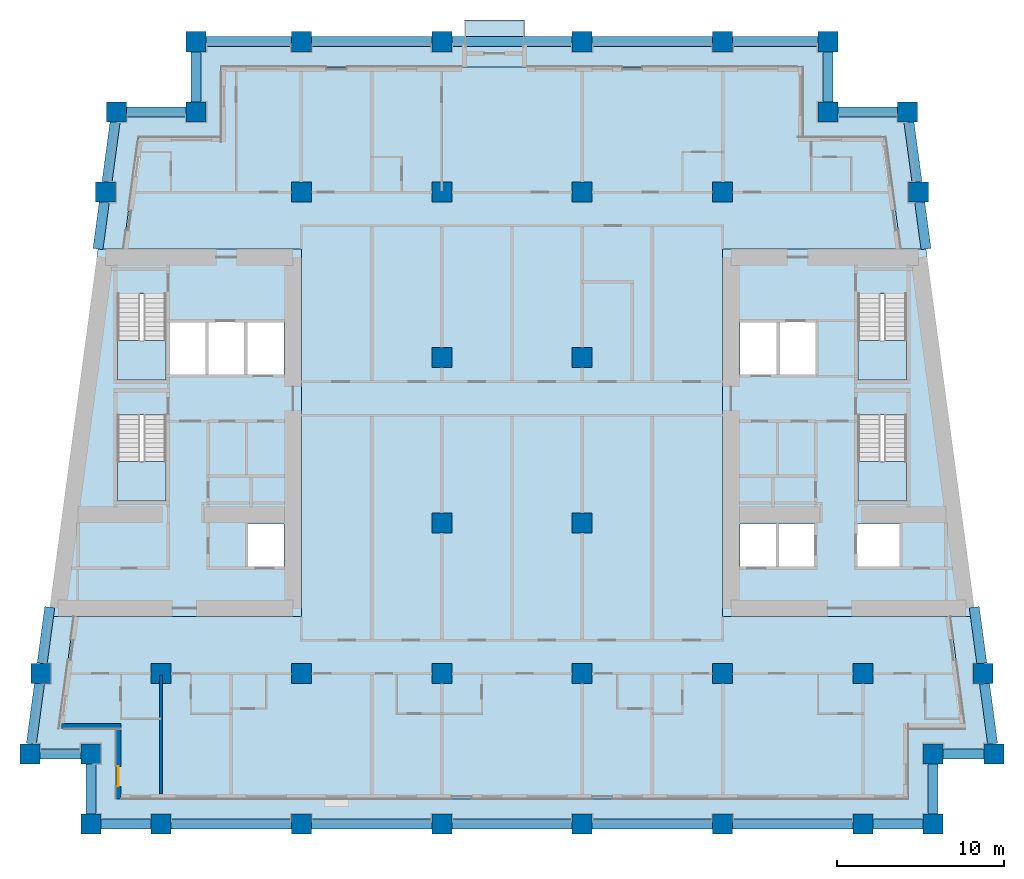
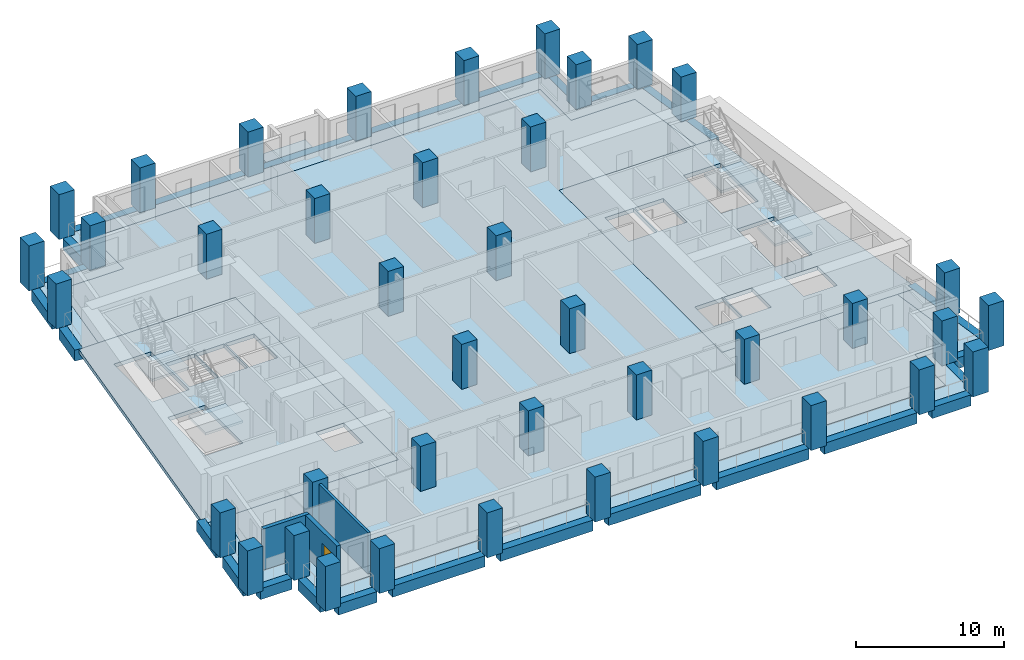
# One storey, part 1 of 13: 40 columns, 28 beams, 10 slabs, 3 walls, 1 door, 1 opening, 4 elements without a shape of their own.
"""IFC4 building model written with IfcOpenShell, lengths in metres."""

import ifcopenshell
import ifcopenshell.guid

model = None  # the IFC model being written
_history = None  # IfcOwnerHistory: only IFC2X3 demands one
_inside = {}  # id of a spatial element -> (the spatial element, [elements in it])
_under = {}  # id of a project, library or spatial element -> (it, [spatial elements below it])
_declared = {}  # id of a project -> (the project, [libraries it declares])
_typed = {}  # id of a type object -> (the type object, [elements of that type])
_made_of = {}  # id of a material, layer set ... -> (it, [elements and type objects made of it])


def new_model(schema):
    """Start an empty IFC model of exactly this schema.

    Asked for "IFC4X3", IfcOpenShell would pick the latest addendum, in which some entities
    have other attributes; the version numbers below select the first issue.
    IFC2X3 requires an IfcOwnerHistory on every rooted entity: one is made here for all.
    """
    global model, _history
    if schema == "IFC4X3":
        model = ifcopenshell.file(schema_version=(4, 3, 0, 0))
    else:
        model = ifcopenshell.file(schema=schema)
    _inside.clear()
    _under.clear()
    _declared.clear()
    _typed.clear()
    _made_of.clear()
    _history = None
    if model.schema == "IFC2X3":
        org = make("IfcOrganization", Name="unknown")
        user = make(
            "IfcPersonAndOrganization",
            ThePerson=make("IfcPerson", FamilyName="unknown"),
            TheOrganization=org,
        )
        app = make(
            "IfcApplication",
            ApplicationDeveloper=org,
            Version="unknown",
            ApplicationFullName="unknown",
            ApplicationIdentifier="unknown",
        )
        _history = make(
            "IfcOwnerHistory",
            OwningUser=user,
            OwningApplication=app,
            ChangeAction="ADDED",
            CreationDate=0,
        )
    return model


def make(cls, **values):
    """One entity of the class cls with the attributes given. An attribute that is None is left unset."""
    return model.create_entity(
        cls, **{name: value for name, value in values.items() if value is not None}
    )


def rooted(cls, **values):
    """An entity with a GlobalId (a new one), such as an element, a storey or a relation."""
    return make(cls, GlobalId=ifcopenshell.guid.new(), OwnerHistory=_history, **values)


def si_unit(unit_type, name, prefix=None):
    """IfcSIUnit, for example si_unit("LENGTHUNIT", "METRE", prefix="MILLI")."""
    return make("IfcSIUnit", UnitType=unit_type, Prefix=prefix, Name=name)


def assignment(units):
    """IfcUnitAssignment: the units of a project."""
    return None if units is None else make("IfcUnitAssignment", Units=units)


def point(xyz):
    """IfcCartesianPoint."""
    return None if xyz is None else make("IfcCartesianPoint", Coordinates=xyz)


def direction(xyz):
    """IfcDirection."""
    return None if xyz is None else make("IfcDirection", DirectionRatios=xyz)


def frame(location, z_axis=None, x_axis=None):
    """IfcAxis2Placement3D, a coordinate frame: its origin and axes. An axis left out is left unset."""
    return make(
        "IfcAxis2Placement3D",
        Location=point(location),
        Axis=direction(z_axis),
        RefDirection=direction(x_axis),
    )


def frame_2d(location, x_axis=None):
    """IfcAxis2Placement2D, a coordinate frame in the plane: its origin and x axis."""
    return make(
        "IfcAxis2Placement2D", Location=point(location), RefDirection=direction(x_axis)
    )


def origin():
    """The frame at (0, 0, 0) with its axes left unset."""
    return frame((0.0, 0.0, 0.0))


def origin_2d():
    """The frame at (0, 0) in the plane with its x axis left unset."""
    return frame_2d((0.0, 0.0))


def place(relative_to, where):
    """IfcLocalPlacement: puts the frame where relative to a parent placement (None: the world)."""
    return make(
        "IfcLocalPlacement", PlacementRelTo=relative_to, RelativePlacement=where
    )


def context(
    kind, dimensions, precision=None, world=None, true_north=None, identifier=None
):
    """IfcGeometricRepresentationContext, for example the 3D "Model" context."""
    return make(
        "IfcGeometricRepresentationContext",
        ContextIdentifier=identifier,
        ContextType=kind,
        CoordinateSpaceDimension=dimensions,
        Precision=precision,
        WorldCoordinateSystem=world,
        TrueNorth=true_north,
    )


def subcontext(parent, identifier, kind, view, scale=None):
    """IfcGeometricRepresentationSubContext, for example "Body" below "Model"."""
    return make(
        "IfcGeometricRepresentationSubContext",
        ContextIdentifier=identifier,
        ContextType=kind,
        ParentContext=parent,
        TargetScale=scale,
        TargetView=view,
    )


def project(units=None, contexts=None):
    """IfcProject with its units and contexts."""
    return rooted(
        "IfcProject",
        Name="project",
        RepresentationContexts=contexts,
        UnitsInContext=assignment(units),
    )


def spatial(cls, under=None, at=None, **own):
    """A site, building, storey or space (cls), placed at a placement, below another one or the project."""
    s = rooted(cls, ObjectPlacement=at, **own)
    if under is not None:
        _under.setdefault(under.id(), (under, []))[1].append(s)
    return s


def polyline(points):
    """IfcPolyline through the points."""
    return make("IfcPolyline", Points=[point(p) for p in points])


def profile(cls, at=None, kind="AREA", **sizes):
    """A parametric profile (cls). Its sizes go by their IFC names, for example OverallWidth=200.0."""
    return make(cls, ProfileType=kind, Position=at, **sizes)


def rectangle(**sizes):
    """IfcRectangleProfileDef."""
    return profile("IfcRectangleProfileDef", **sizes)


def outline(outer, holes=None, kind="AREA"):
    """IfcArbitraryClosedProfileDef: a profile drawn as a closed curve; with holes, ...WithVoids."""
    if holes is None:
        return make("IfcArbitraryClosedProfileDef", ProfileType=kind, OuterCurve=outer)
    return make(
        "IfcArbitraryProfileDefWithVoids",
        ProfileType=kind,
        OuterCurve=outer,
        InnerCurves=holes,
    )


def extrude(swept, where, along, depth):
    """IfcExtrudedAreaSolid: the profile swept, set in the frame where, extruded along a direction by depth."""
    return make(
        "IfcExtrudedAreaSolid",
        SweptArea=swept,
        Position=where,
        ExtrudedDirection=direction(along),
        Depth=depth,
    )


def shape(context_of_items, identifier, shape_type, items):
    """IfcShapeRepresentation: the items that make up one representation, for example the "Body"."""
    return make(
        "IfcShapeRepresentation",
        ContextOfItems=context_of_items,
        RepresentationIdentifier=identifier,
        RepresentationType=shape_type,
        Items=items,
    )


def material(Name=None, Category=None):
    """IfcMaterial."""
    return make("IfcMaterial", Name=Name, Category=Category)


def layer(
    of_material, thickness, ventilated=None, Name=None, Category=None, Priority=None
):
    """IfcMaterialLayer: one layer of a wall or slab, of a material (None: an air gap)."""
    return make(
        "IfcMaterialLayer",
        Material=of_material,
        LayerThickness=thickness,
        IsVentilated=ventilated,
        Name=Name,
        Category=Category,
        Priority=Priority,
    )


def layer_set(layers, Name=None):
    """IfcMaterialLayerSet."""
    return make("IfcMaterialLayerSet", MaterialLayers=layers, LayerSetName=Name)


def material_profile(
    of_material, cross_section, Name=None, Category=None, Priority=None
):
    """IfcMaterialProfile: a cross section and its material."""
    return make(
        "IfcMaterialProfile",
        Name=Name,
        Material=of_material,
        Profile=cross_section,
        Priority=Priority,
        Category=Category,
    )


def profile_set(profiles, Name=None, composite=None):
    """IfcMaterialProfileSet."""
    return make(
        "IfcMaterialProfileSet",
        Name=Name,
        MaterialProfiles=profiles,
        CompositeProfile=composite,
    )


def made_of(thing, what):
    """Note that an element or type object is made of a material, layer set ...; save() writes the relation."""
    if what is not None:
        _made_of.setdefault(what.id(), (what, []))[1].append(thing)
    return thing


def type_object(cls, material=None, **own):
    """A type object (cls), such as IfcWallType, which elements share."""
    return made_of(rooted(cls, **own), material)


def element(
    cls,
    number,
    at=None,
    inside=None,
    cuts=None,
    type_object=None,
    material=None,
    context=None,
    identifier="Body",
    shape_type=None,
    held_by="IfcProductDefinitionShape",
    body=None,
    shapes=None,
    **own,
):
    """One element of the class cls, such as IfcWall. Its Tag is "e" and its number.

    at: its placement. inside: the storey or other place that contains it. cuts: it is an
    opening in that element (IfcRelVoidsElement). A single representation is given by context,
    identifier, shape_type and body (its items); several are given by shapes. held_by: the class
    of the entity that holds the representations. save() writes the other relations.
    """
    e = rooted(cls, Tag="e%d" % number, ObjectPlacement=at, **own)
    if body is not None:
        shapes = [shape(context, identifier, shape_type, body)]
    if shapes is not None:
        e.Representation = make(held_by, Representations=shapes)
    if inside is not None:
        _inside.setdefault(inside.id(), (inside, []))[1].append(e)
    if cuts is not None:
        rooted(
            "IfcRelVoidsElement", RelatingBuildingElement=cuts, RelatedOpeningElement=e
        )
    if type_object is not None:
        _typed.setdefault(type_object.id(), (type_object, []))[1].append(e)
    return made_of(e, material)


def fill(opening, filler):
    """IfcRelFillsElement: the door or window that sits in an opening."""
    return rooted(
        "IfcRelFillsElement",
        RelatingOpeningElement=opening,
        RelatedBuildingElement=filler,
    )


def aggregate(whole, parts):
    """IfcRelAggregates: a whole, such as a stair, and the parts it consists of."""
    return rooted("IfcRelAggregates", RelatingObject=whole, RelatedObjects=parts)


def save(model, path):
    """Write the relations noted so far, then the file.

    IfcRelAggregates (storeys below a building ...), IfcRelContainedInSpatialStructure (elements
    in a storey), IfcRelDefinesByType, IfcRelAssociatesMaterial and IfcRelDeclares: one each for
    every whole, place, type object, material and project.
    """
    for whole, parts in _under.values():
        aggregate(whole, parts)
    for where, things in _inside.values():
        rooted(
            "IfcRelContainedInSpatialStructure",
            RelatedElements=things,
            RelatingStructure=where,
        )
    for kind, things in _typed.values():
        rooted("IfcRelDefinesByType", RelatedObjects=things, RelatingType=kind)
    for what, things in _made_of.values():
        rooted("IfcRelAssociatesMaterial", RelatedObjects=things, RelatingMaterial=what)
    for by, libraries in _declared.values():
        rooted("IfcRelDeclares", RelatingContext=by, RelatedDefinitions=libraries)
    model.write(path)


model = new_model("IFC4")

# Units and contexts
model_context = context("Model", 3, precision=1e-05, world=origin(), true_north=direction((0.0, 1.0)))
body_context = subcontext(model_context, "Body", "Model", "MODEL_VIEW")
ifc_project = project(units=[si_unit("LENGTHUNIT", "METRE"), si_unit("AREAUNIT", "SQUARE_METRE"), si_unit("VOLUMEUNIT", "CUBIC_METRE"), si_unit("PLANEANGLEUNIT", "RADIAN"), si_unit("MASSUNIT", "GRAM", prefix="KILO")], contexts=[model_context])

# Site, building, storey
site_placement = place(None, origin())
site = spatial("IfcSite", under=ifc_project, at=site_placement, CompositionType="ELEMENT")
building_placement = place(site_placement, origin())
building = spatial("IfcBuilding", under=site, at=building_placement, Name="Candeia Pilgrim Tower and Theatre", CompositionType="ELEMENT")
storey_placement = place(building_placement, frame((0.0, 0.0, 105.800048828125)))
storey = spatial("IfcBuildingStorey", under=building, at=storey_placement, Name="L24", CompositionType="ELEMENT", Elevation=105.800048828125)

# Columns
ifc_material_1 = material(Name="Concrete C70/85", Category="concrete")
ifc_material_profile_1 = material_profile(ifc_material_1, rectangle(XDim=1.199951171875, YDim=1.199951171875, at=origin_2d()))
ifc_profile_set_1 = profile_set([ifc_material_profile_1], Name="Concrete C70/85")
column_type = type_object("IfcColumnType", Name="RC 1200x1200 C70/85", PredefinedType="COLUMN", material=ifc_profile_set_1)
for number, where, z_axis, x_axis, name in (
    (1, (92.39990234375, 98.0, 0.0), (0.0, 0.0, 1.0), (1.0, 0.0, 0.0), "Column A1"),
    (2, (100.800048828125, 98.0, 0.0), (0.0, 0.0, 1.0), (1.0, 0.0, 0.0), "Column A2"),
    (3, (109.199951171875, 98.0, 0.0), (0.0, 0.0, 1.0), (1.0, 0.0, 0.0), "Column A3"),
    (4, (117.60009765625, 98.0, 0.0), (0.0, 0.0, 1.0), (1.0, 0.0, 0.0), "Column A4"),
    (5, (126.0, 98.0, 0.0), (0.0, 0.0, 1.0), (1.0, 0.0, 0.0), "Column A5"),
    (6, (134.39990234375, 98.0, 0.0), (0.0, 0.0, 1.0), (1.0, 0.0, 0.0), "Column A6"),
    (7, (88.199951171875, 98.0, 0.0), (0.0, 0.0, 1.0), (1.0, 0.0, 0.0), "Column AW"),
    (8, (138.60009765625, 98.0, 0.0), (0.0, 0.0, 1.0), (1.0, 0.0, 0.0), "Column AE"),
    (9, (88.199951171875, 102.199951171875, 0.0), (0.0, 0.0, 1.0), (1.0, 0.0, 0.0), "Column NSW"),
    (10, (138.60009765625, 102.199951171875, 0.0), (0.0, 0.0, 1.0), (1.0, 0.0, 0.0), "Column NSE"),
    (11, (94.5, 140.60009765625, 0.0), (0.0, 0.0, 1.0), (1.0, 0.0, 0.0), "Column NNW"),
    (12, (132.300048828125, 140.60009765625, 0.0), (0.0, 0.0, 1.0), (1.0, 0.0, 0.0), "Column NNE"),
    (13, (84.5654296875, 102.199951171875, 0.0), (0.0, 0.0, 1.0), (1.0, 0.0, 0.0), "Column LSW"),
    (14, (142.234619140625, 102.199951171875, 0.0), (0.0, 0.0, 1.0), (1.0, 0.0, 0.0), "Column LSE"),
    (15, (89.734619140625, 140.60009765625, 0.0), (0.0, 0.0, 1.0), (1.0, 0.0, 0.0), "Column LNW"),
    (16, (137.0654296875, 140.60009765625, 0.0), (0.0, 0.0, 1.0), (1.0, 0.0, 0.0), "Column LNE"),
    (17, (92.39990234375, 107.0, 0.0), (0.0, 0.0, 1.0), (1.0, 0.0, 0.0), "Column B1"),
    (18, (100.800048828125, 107.0, 0.0), (0.0, 0.0, 1.0), (1.0, 0.0, 0.0), "Column B2"),
    (19, (109.199951171875, 107.0, 0.0), (0.0, 0.0, 1.0), (1.0, 0.0, 0.0), "Column B3"),
    (20, (117.60009765625, 107.0, 0.0), (0.0, 0.0, 1.0), (1.0, 0.0, 0.0), "Column B4"),
    (21, (126.0, 107.0, 0.0), (0.0, 0.0, 1.0), (1.0, 0.0, 0.0), "Column B5"),
    (22, (134.39990234375, 107.0, 0.0), (0.0, 0.0, 1.0), (1.0, 0.0, 0.0), "Column B6"),
    (23, (85.21142578125, 107.0, 0.0), (0.0, 0.0, 1.0), (1.0, 0.0, 0.0), "Column BW"),
    (24, (141.58837890625, 107.0, 0.0), (0.0, 0.0, 1.0), (1.0, 0.0, 0.0), "Column BE"),
    (25, (109.199951171875, 116.0, 0.0), (0.0, 0.0, 1.0), (1.0, 0.0, 0.0), "Column C3"),
    (26, (117.60009765625, 116.0, 0.0), (0.0, 0.0, 1.0), (1.0, 0.0, 0.0), "Column C4"),
    (27, (109.199951171875, 125.89990234375, 0.0), (0.0, 0.0, 1.0), (1.0, 0.0, 0.0), "Column D3"),
    (28, (117.60009765625, 125.89990234375, 0.0), (0.0, 0.0, 1.0), (1.0, 0.0, 0.0), "Column D4"),
    (29, (100.800048828125, 135.800048828125, 0.0), (0.0, 0.0, 1.0), (1.0, 0.0, 0.0), "Column E2"),
    (30, (109.199951171875, 135.800048828125, 0.0), (0.0, 0.0, 1.0), (1.0, 0.0, 0.0), "Column E3"),
    (31, (117.60009765625, 135.800048828125, 0.0), (0.0, 0.0, 1.0), (1.0, 0.0, 0.0), "Column E4"),
    (32, (126.0, 135.800048828125, 0.0), (0.0, 0.0, 1.0), (1.0, 0.0, 0.0), "Column E5"),
    (33, (89.08837890625, 135.800048828125, 0.0), (0.0, 0.0, 1.0), (1.0, 0.0, 0.0), "Column EW"),
    (34, (137.71142578125, 135.800048828125, 0.0), (0.0, 0.0, 1.0), (1.0, 0.0, 0.0), "Column EE"),
    (35, (100.800048828125, 144.800048828125, 0.0), (0.0, 0.0, 1.0), (1.0, 0.0, 0.0), "Column F2"),
    (36, (109.199951171875, 144.800048828125, 0.0), (0.0, 0.0, 1.0), (1.0, 0.0, 0.0), "Column F3"),
    (37, (117.60009765625, 144.800048828125, 0.0), (0.0, 0.0, 1.0), (1.0, 0.0, 0.0), "Column F4"),
    (38, (126.0, 144.800048828125, 0.0), (0.0, 0.0, 1.0), (1.0, 0.0, 0.0), "Column F5"),
    (39, (94.5, 144.800048828125, 0.0), (0.0, 0.0, 1.0), (1.0, 0.0, 0.0), "Column FW"),
    (40, (132.300048828125, 144.800048828125, 0.0), (0.0, 0.0, 1.0), (1.0, 0.0, 0.0), "Column FE"),
):
    element("IfcColumn", number, at=place(storey_placement, frame(where, z_axis=z_axis, x_axis=x_axis)), inside=storey, type_object=column_type, Name=name, PredefinedType="COLUMN", context=body_context, shape_type="SweptSolid", body=[
        extrude(rectangle(XDim=1.199951171875, YDim=1.199951171875, at=origin_2d()), origin(), (0.0, 0.0, 1.0), 3.699951171875),
    ])

# Beams
ifc_material_profile_2 = material_profile(ifc_material_1, rectangle(XDim=0.60009765625, YDim=0.89990234375, at=origin_2d()))
ifc_profile_set_2 = profile_set([ifc_material_profile_2], Name="Concrete C70/85")
beam_type = type_object("IfcBeamType", Name="RC 600x900 C70/85", PredefinedType="BEAM", material=ifc_profile_set_2)
beam_1_placement = place(storey_placement, frame((88.800048828125, 98.0, -0.449951171875), z_axis=(1.0, 0.0, 0.0), x_axis=(0.0, 1.0, 0.0)))
element("IfcBeam", 41, at=beam_1_placement, inside=storey, type_object=beam_type, Name="Spandrel beam L24-01", PredefinedType="BEAM", context=body_context, shape_type="SweptSolid", body=[
    extrude(rectangle(XDim=0.60009765625, YDim=0.89990234375, at=origin_2d()), origin(), (0.0, 0.0, 1.0), 3.0),
])
beam_2_placement = place(storey_placement, frame((93.0, 98.0, -0.449951171875), z_axis=(1.0, 0.0, 0.0), x_axis=(0.0, 1.0, 0.0)))
element("IfcBeam", 42, at=beam_2_placement, inside=storey, type_object=beam_type, Name="Spandrel beam L24-02", PredefinedType="BEAM", context=body_context, shape_type="SweptSolid", body=[
    extrude(rectangle(XDim=0.60009765625, YDim=0.89990234375, at=origin_2d()), origin(), (0.0, 0.0, 1.0), 7.199951171875),
])
beam_3_placement = place(storey_placement, frame((101.39990234375, 98.0, -0.449951171875), z_axis=(1.0, 0.0, 0.0), x_axis=(0.0, 1.0, 0.0)))
element("IfcBeam", 43, at=beam_3_placement, inside=storey, type_object=beam_type, Name="Spandrel beam L24-03", PredefinedType="BEAM", context=body_context, shape_type="SweptSolid", body=[
    extrude(rectangle(XDim=0.60009765625, YDim=0.89990234375, at=origin_2d()), origin(), (0.0, 0.0, 1.0), 7.2001953125),
])
for number, where, z_axis, x_axis, name in (
    (44, (109.800048828125, 98.0, -0.449951171875), (1.0, 0.0, 0.0), (0.0, 1.0, 0.0), "Spandrel beam L24-04"),
    (45, (118.199951171875, 98.0, -0.449951171875), (1.0, 0.0, 0.0), (0.0, 1.0, 0.0), "Spandrel beam L24-05"),
    (46, (126.60009765625, 98.0, -0.449951171875), (1.0, 0.0, 0.0), (0.0, 1.0, 0.0), "Spandrel beam L24-06"),
):
    element("IfcBeam", number, at=place(storey_placement, frame(where, z_axis=z_axis, x_axis=x_axis)), inside=storey, type_object=beam_type, Name=name, PredefinedType="BEAM", context=body_context, shape_type="SweptSolid", body=[
        extrude(rectangle(XDim=0.60009765625, YDim=0.89990234375, at=origin_2d()), origin(), (0.0, 0.0, 1.0), 7.199951171875),
    ])
for number, where, z_axis, x_axis, name in (
    (47, (135.0, 98.0, -0.449951171875), (1.0, 0.0, 0.0), (0.0, 1.0, 0.0), "Spandrel beam L24-07"),
    (48, (138.60009765625, 98.60009765625, -0.449951171875), (0.0, 1.0, 0.0), (-1.0, 0.0, 0.0), "Spandrel beam L24-08"),
):
    element("IfcBeam", number, at=place(storey_placement, frame(where, z_axis=z_axis, x_axis=x_axis)), inside=storey, type_object=beam_type, Name=name, PredefinedType="BEAM", context=body_context, shape_type="SweptSolid", body=[
        extrude(rectangle(XDim=0.60009765625, YDim=0.89990234375, at=origin_2d()), origin(), (0.0, 0.0, 1.0), 3.0),
    ])
beam_4_placement = place(storey_placement, frame((139.199951171875, 102.199951171875, -0.449951171875), z_axis=(1.0, 0.0, 0.0), x_axis=(0.0, 1.0, 0.0)))
element("IfcBeam", 49, at=beam_4_placement, inside=storey, type_object=beam_type, Name="Spandrel beam L24-09", PredefinedType="BEAM", context=body_context, shape_type="SweptSolid", body=[
    extrude(rectangle(XDim=0.60009765625, YDim=0.89990234375, at=origin_2d()), origin(), (0.0, 0.0, 1.0), 2.4345703125),
])
beam_5_placement = place(storey_placement, frame((142.15380859375, 102.800048828125, -0.449951171875), z_axis=(-0.133418359924, 0.991059807093, 0.0), x_axis=(-0.991059807093, -0.133418359924, 0.0)))
element("IfcBeam", 50, at=beam_5_placement, inside=storey, type_object=beam_type, Name="Spandrel beam L24-10", PredefinedType="BEAM", context=body_context, shape_type="SweptSolid", body=[
    extrude(rectangle(XDim=0.60009765625, YDim=0.89990234375, at=origin_2d()), origin(), (0.0, 0.0, 1.0), 3.63232421875),
])
beam_6_placement = place(storey_placement, frame((141.5078125, 107.60009765625, -0.449951171875), z_axis=(-0.133458165992, 0.99105444751, 0.0), x_axis=(-0.99105444751, -0.133458165992, 0.0)))
element("IfcBeam", 51, at=beam_6_placement, inside=storey, type_object=beam_type, Name="Spandrel beam L24-11", PredefinedType="BEAM", context=body_context, shape_type="SweptSolid", body=[
    extrude(rectangle(XDim=0.60009765625, YDim=0.89990234375, at=origin_2d()), origin(), (0.0, 0.0, 1.0), 3.39697265625),
])
beam_7_placement = place(storey_placement, frame((138.169189453125, 132.39990234375, -0.449951171875), z_axis=(-0.133420173099, 0.991059562998, 0.0), x_axis=(-0.991059562998, -0.133420173099, 0.0)))
element("IfcBeam", 52, at=beam_7_placement, inside=storey, type_object=beam_type, Name="Spandrel beam L24-12", PredefinedType="BEAM", context=body_context, shape_type="SweptSolid", body=[
    extrude(rectangle(XDim=0.60009765625, YDim=0.89990234375, at=origin_2d()), origin(), (0.0, 0.0, 1.0), 2.8251953125),
])
beam_8_placement = place(storey_placement, frame((137.630859375, 136.39990234375, -0.449951171875), z_axis=(-0.133409473196, 0.991061003401, 0.0), x_axis=(-0.991061003401, -0.133409473196, 0.0)))
element("IfcBeam", 53, at=beam_8_placement, inside=storey, type_object=beam_type, Name="Spandrel beam L24-13", PredefinedType="BEAM", context=body_context, shape_type="SweptSolid", body=[
    extrude(rectangle(XDim=0.60009765625, YDim=0.89990234375, at=origin_2d()), origin(), (0.0, 0.0, 1.0), 3.632568359375),
])
beam_9_placement = place(storey_placement, frame((136.46533203125, 140.60009765625, -0.449951171875), z_axis=(-1.0, 0.0, 0.0), x_axis=(0.0, -1.0, 0.0)))
element("IfcBeam", 54, at=beam_9_placement, inside=storey, type_object=beam_type, Name="Spandrel beam L24-14", PredefinedType="BEAM", context=body_context, shape_type="SweptSolid", body=[
    extrude(rectangle(XDim=0.60009765625, YDim=0.89990234375, at=origin_2d()), origin(), (0.0, 0.0, 1.0), 3.5654296875),
])
beam_10_placement = place(storey_placement, frame((132.300048828125, 141.199951171875, -0.449951171875), z_axis=(0.0, 1.0, 0.0), x_axis=(-1.0, 0.0, 0.0)))
element("IfcBeam", 55, at=beam_10_placement, inside=storey, type_object=beam_type, Name="Spandrel beam L24-15", PredefinedType="BEAM", context=body_context, shape_type="SweptSolid", body=[
    extrude(rectangle(XDim=0.60009765625, YDim=0.89990234375, at=origin_2d()), origin(), (0.0, 0.0, 1.0), 3.0),
])
beam_11_placement = place(storey_placement, frame((131.699951171875, 144.800048828125, -0.449951171875), z_axis=(-1.0, 0.0, 0.0), x_axis=(0.0, -1.0, 0.0)))
element("IfcBeam", 56, at=beam_11_placement, inside=storey, type_object=beam_type, Name="Spandrel beam L24-16", PredefinedType="BEAM", context=body_context, shape_type="SweptSolid", body=[
    extrude(rectangle(XDim=0.60009765625, YDim=0.89990234375, at=origin_2d()), origin(), (0.0, 0.0, 1.0), 5.099853515625),
])
for number, where, z_axis, x_axis, name in (
    (57, (125.39990234375, 144.800048828125, -0.449951171875), (-1.0, 0.0, 0.0), (0.0, -1.0, 0.0), "Spandrel beam L24-17"),
    (58, (117.0, 144.800048828125, -0.449951171875), (-1.0, 0.0, 0.0), (0.0, -1.0, 0.0), "Spandrel beam L24-18"),
):
    element("IfcBeam", number, at=place(storey_placement, frame(where, z_axis=z_axis, x_axis=x_axis)), inside=storey, type_object=beam_type, Name=name, PredefinedType="BEAM", context=body_context, shape_type="SweptSolid", body=[
        extrude(rectangle(XDim=0.60009765625, YDim=0.89990234375, at=origin_2d()), origin(), (0.0, 0.0, 1.0), 7.199951171875),
    ])
beam_12_placement = place(storey_placement, frame((108.60009765625, 144.800048828125, -0.449951171875), z_axis=(-1.0, 0.0, 0.0), x_axis=(0.0, -1.0, 0.0)))
element("IfcBeam", 59, at=beam_12_placement, inside=storey, type_object=beam_type, Name="Spandrel beam L24-19", PredefinedType="BEAM", context=body_context, shape_type="SweptSolid", body=[
    extrude(rectangle(XDim=0.60009765625, YDim=0.89990234375, at=origin_2d()), origin(), (0.0, 0.0, 1.0), 7.2001953125),
])
beam_13_placement = place(storey_placement, frame((100.199951171875, 144.800048828125, -0.449951171875), z_axis=(-1.0, 0.0, 0.0), x_axis=(0.0, -1.0, 0.0)))
element("IfcBeam", 60, at=beam_13_placement, inside=storey, type_object=beam_type, Name="Spandrel beam L24-20", PredefinedType="BEAM", context=body_context, shape_type="SweptSolid", body=[
    extrude(rectangle(XDim=0.60009765625, YDim=0.89990234375, at=origin_2d()), origin(), (0.0, 0.0, 1.0), 5.099853515625),
])
beam_14_placement = place(storey_placement, frame((94.5, 144.199951171875, -0.449951171875), z_axis=(0.0, -1.0, 0.0), x_axis=(1.0, 0.0, 0.0)))
element("IfcBeam", 61, at=beam_14_placement, inside=storey, type_object=beam_type, Name="Spandrel beam L24-21", PredefinedType="BEAM", context=body_context, shape_type="SweptSolid", body=[
    extrude(rectangle(XDim=0.60009765625, YDim=0.89990234375, at=origin_2d()), origin(), (0.0, 0.0, 1.0), 3.0),
])
beam_15_placement = place(storey_placement, frame((93.89990234375, 140.60009765625, -0.449951171875), z_axis=(-1.0, 0.0, 0.0), x_axis=(0.0, -1.0, 0.0)))
element("IfcBeam", 62, at=beam_15_placement, inside=storey, type_object=beam_type, Name="Spandrel beam L24-22", PredefinedType="BEAM", context=body_context, shape_type="SweptSolid", body=[
    extrude(rectangle(XDim=0.60009765625, YDim=0.89990234375, at=origin_2d()), origin(), (0.0, 0.0, 1.0), 3.565185546875),
])
beam_16_placement = place(storey_placement, frame((89.65380859375, 140.0, -0.449951171875), z_axis=(-0.133409473196, -0.991061003401, 0.0), x_axis=(0.991061003401, -0.133409473196, 0.0)))
element("IfcBeam", 63, at=beam_16_placement, inside=storey, type_object=beam_type, Name="Spandrel beam L24-23", PredefinedType="BEAM", context=body_context, shape_type="SweptSolid", body=[
    extrude(rectangle(XDim=0.60009765625, YDim=0.89990234375, at=origin_2d()), origin(), (0.0, 0.0, 1.0), 3.632568359375),
])
beam_17_placement = place(storey_placement, frame((89.0078125, 135.199951171875, -0.449951171875), z_axis=(-0.133420173099, -0.991059562998, 0.0), x_axis=(0.991059562998, -0.133420173099, 0.0)))
element("IfcBeam", 64, at=beam_17_placement, inside=storey, type_object=beam_type, Name="Spandrel beam L24-24", PredefinedType="BEAM", context=body_context, shape_type="SweptSolid", body=[
    extrude(rectangle(XDim=0.60009765625, YDim=0.89990234375, at=origin_2d()), origin(), (0.0, 0.0, 1.0), 2.8251953125),
])
beam_18_placement = place(storey_placement, frame((85.74560546875, 110.966796875, -0.449951171875), z_axis=(-0.133458165992, -0.99105444751, 0.0), x_axis=(0.99105444751, -0.133458165992, 0.0)))
element("IfcBeam", 65, at=beam_18_placement, inside=storey, type_object=beam_type, Name="Spandrel beam L24-25", PredefinedType="BEAM", context=body_context, shape_type="SweptSolid", body=[
    extrude(rectangle(XDim=0.60009765625, YDim=0.89990234375, at=origin_2d()), origin(), (0.0, 0.0, 1.0), 3.39697265625),
])
beam_19_placement = place(storey_placement, frame((85.130859375, 106.39990234375, -0.449951171875), z_axis=(-0.133418359924, -0.991059807093, 0.0), x_axis=(0.991059807093, -0.133418359924, 0.0)))
element("IfcBeam", 66, at=beam_19_placement, inside=storey, type_object=beam_type, Name="Spandrel beam L24-26", PredefinedType="BEAM", context=body_context, shape_type="SweptSolid", body=[
    extrude(rectangle(XDim=0.60009765625, YDim=0.89990234375, at=origin_2d()), origin(), (0.0, 0.0, 1.0), 3.63232421875),
])
beam_20_placement = place(storey_placement, frame((85.165283203125, 102.199951171875, -0.449951171875), z_axis=(1.0, 0.0, 0.0), x_axis=(0.0, 1.0, 0.0)))
element("IfcBeam", 67, at=beam_20_placement, inside=storey, type_object=beam_type, Name="Spandrel beam L24-27", PredefinedType="BEAM", context=body_context, shape_type="SweptSolid", body=[
    extrude(rectangle(XDim=0.60009765625, YDim=0.89990234375, at=origin_2d()), origin(), (0.0, 0.0, 1.0), 2.434814453125),
])
beam_21_placement = place(storey_placement, frame((88.199951171875, 101.60009765625, -0.449951171875), z_axis=(0.0, -1.0, 0.0), x_axis=(1.0, 0.0, 0.0)))
element("IfcBeam", 68, at=beam_21_placement, inside=storey, type_object=beam_type, Name="Spandrel beam L24-28", PredefinedType="BEAM", context=body_context, shape_type="SweptSolid", body=[
    extrude(rectangle(XDim=0.60009765625, YDim=0.89990234375, at=origin_2d()), origin(), (0.0, 0.0, 1.0), 3.0),
])

# Slabs
ifc_material_2 = material(Name="Concrete C40/50", Category="concrete")
ifc_layer_1 = layer(ifc_material_2, 0.25)
ifc_layer_set_1 = layer_set([ifc_layer_1], Name="BK1 balcony slab 250")
slab_type_1 = type_object("IfcSlabType", Name="BK1 balcony slab 250", PredefinedType="USERDEFINED", material=ifc_layer_set_1)
slab_1_placement = place(storey_placement, frame((0.0, 0.0, -0.25)))
element("IfcSlab", 69, at=slab_1_placement, inside=storey, type_object=slab_type_1, Name="Balcony L24", ObjectType="BALCONY", PredefinedType="USERDEFINED", context=body_context, shape_type="SweptSolid", body=[
    extrude(outline(polyline([(110.550048828125, 144.5), (114.14990234375, 144.5), (114.14990234375, 146.10009765625), (110.550048828125, 146.10009765625), (110.550048828125, 144.5)])), origin(), (0.0, 0.0, 1.0), 0.25),
])
ifc_material_3 = material(Name="Concrete C60/75", Category="concrete")
ifc_layer_2 = layer(ifc_material_3, 0.320068359375)
ifc_layer_set_2 = layer_set([ifc_layer_2], Name="FS-CORE 320 core floor")
slab_type_2 = type_object("IfcSlabType", Name="FS-CORE 320 core floor", PredefinedType="FLOOR", material=ifc_layer_set_2)
slab_2_placement = place(storey_placement, frame((0.0, 0.0, -0.320068359375)))
element("IfcSlab", 70, at=slab_2_placement, inside=storey, type_object=slab_type_2, Name="Core floor W L24", PredefinedType="FLOOR", context=body_context, shape_type="SweptSolid", body=[
    extrude(outline(polyline([(100.800048828125, 132.39990234375), (100.800048828125, 110.39990234375), (85.669189453125, 110.39990234375), (88.630859375, 132.39990234375), (100.800048828125, 132.39990234375)]), holes=[polyline([(97.525634765625, 128.050048828125), (97.525634765625, 124.85009765625), (99.75, 124.85009765625), (99.75, 128.050048828125), (97.525634765625, 128.050048828125)]), polyline([(97.5634765625, 113.35009765625), (99.75, 113.35009765625), (99.75, 115.949951171875), (97.5634765625, 115.949951171875), (97.5634765625, 113.35009765625)]), polyline([(95.201416015625, 124.85009765625), (97.42578125, 124.85009765625), (97.42578125, 128.050048828125), (95.201416015625, 128.050048828125), (95.201416015625, 124.85009765625)]), polyline([(92.876953125, 128.050048828125), (92.876953125, 124.85009765625), (95.101318359375, 124.85009765625), (95.101318359375, 128.050048828125), (92.876953125, 128.050048828125)]), polyline([(89.802001953125, 122.455078125), (89.802001953125, 117.324951171875), (92.701904296875, 117.324951171875), (92.701904296875, 122.455078125), (89.802001953125, 122.455078125)]), polyline([(89.802001953125, 129.705078125), (89.802001953125, 124.574951171875), (92.701904296875, 124.574951171875), (92.701904296875, 129.705078125), (89.802001953125, 129.705078125)])]), origin(), (0.0, 0.0, 1.0), 0.320068359375),
])
slab_3_placement = place(storey_placement, frame((0.0, 0.0, -0.320068359375)))
element("IfcSlab", 71, at=slab_3_placement, inside=storey, type_object=slab_type_2, Name="Core floor E L24", PredefinedType="FLOOR", context=body_context, shape_type="SweptSolid", body=[
    extrude(outline(polyline([(138.169189453125, 132.39990234375), (141.130859375, 110.39990234375), (126.0, 110.39990234375), (126.0, 132.39990234375), (138.169189453125, 132.39990234375)]), holes=[polyline([(134.097900390625, 122.455078125), (134.097900390625, 117.324951171875), (136.998046875, 117.324951171875), (136.998046875, 122.455078125), (134.097900390625, 122.455078125)]), polyline([(134.097900390625, 129.705078125), (134.097900390625, 124.574951171875), (136.998046875, 124.574951171875), (136.998046875, 129.705078125), (134.097900390625, 129.705078125)]), polyline([(136.6220703125, 115.949951171875), (134.02294921875, 115.949951171875), (134.02294921875, 113.35009765625), (136.6220703125, 113.35009765625), (136.6220703125, 115.949951171875)]), polyline([(131.5986328125, 128.050048828125), (129.374267578125, 128.050048828125), (129.374267578125, 124.85009765625), (131.5986328125, 124.85009765625), (131.5986328125, 128.050048828125)]), polyline([(131.52294921875, 115.949951171875), (129.33642578125, 115.949951171875), (129.33642578125, 113.35009765625), (131.52294921875, 113.35009765625), (131.52294921875, 115.949951171875)]), polyline([(129.2744140625, 128.050048828125), (127.050048828125, 128.050048828125), (127.050048828125, 124.85009765625), (129.2744140625, 124.85009765625), (129.2744140625, 128.050048828125)]), polyline([(127.050048828125, 115.949951171875), (127.050048828125, 113.35009765625), (129.236572265625, 113.35009765625), (129.236572265625, 115.949951171875), (127.050048828125, 115.949951171875)])]), origin(), (0.0, 0.0, 1.0), 0.320068359375),
])
ifc_material_4 = material(Name="Concrete C50/60", Category="concrete")
ifc_layer_3 = layer(ifc_material_4, 0.320068359375)
ifc_layer_set_3 = layer_set([ifc_layer_3], Name="Floor slab 320 C50/60")
slab_type_3 = type_object("IfcSlabType", Name="Floor slab 320 C50/60", PredefinedType="FLOOR", material=ifc_layer_set_3)
slab_4_placement = place(storey_placement, frame((0.0, 0.0, -0.320068359375)))
element("IfcSlab", 72, at=slab_4_placement, inside=storey, type_object=slab_type_3, Name="Floor slab L24", PredefinedType="FLOOR", context=body_context, shape_type="SweptSolid", body=[
    extrude(outline(polyline([(96.0, 139.10009765625), (96.0, 143.300048828125), (130.800048828125, 143.300048828125), (130.800048828125, 139.10009765625), (135.753662109375, 139.10009765625), (136.65576171875, 132.39990234375), (126.0, 132.39990234375), (126.0, 110.39990234375), (139.6171875, 110.39990234375), (140.51904296875, 103.699951171875), (137.10009765625, 103.699951171875), (137.10009765625, 99.5), (89.699951171875, 99.5), (89.699951171875, 103.699951171875), (86.28076171875, 103.699951171875), (87.182861328125, 110.39990234375), (100.800048828125, 110.39990234375), (100.800048828125, 132.39990234375), (90.144287109375, 132.39990234375), (91.046142578125, 139.10009765625), (96.0, 139.10009765625)])), origin(), (0.0, 0.0, 1.0), 0.320068359375),
])
ifc_layer_4 = layer(ifc_material_2, 0.25)
ifc_layer_set_4 = layer_set([ifc_layer_4], Name="Loggia slab 250 C40/50")
slab_type_4 = type_object("IfcSlabType", Name="Loggia slab 250 C40/50", PredefinedType="FLOOR", material=ifc_layer_set_4)
slab_5_placement = place(storey_placement, frame((0.0, 0.0, -0.25)))
element("IfcSlab", 73, at=slab_5_placement, inside=storey, type_object=slab_type_4, Name="Loggia slab L24 1", PredefinedType="FLOOR", context=body_context, shape_type="SweptSolid", body=[
    extrude(outline(polyline([(87.182861328125, 110.39990234375), (86.28076171875, 103.699951171875), (89.699951171875, 103.699951171875), (89.699951171875, 99.5), (137.10009765625, 99.5), (137.10009765625, 103.699951171875), (140.51904296875, 103.699951171875), (139.6171875, 110.39990234375), (140.828125, 110.39990234375), (141.8916015625, 102.5), (138.300048828125, 102.5), (138.300048828125, 98.300048828125), (88.5, 98.300048828125), (88.5, 102.5), (84.908447265625, 102.5), (85.971923828125, 110.39990234375), (87.182861328125, 110.39990234375)])), origin(), (0.0, 0.0, 1.0), 0.25),
])
slab_6_placement = place(storey_placement, frame((0.0, 0.0, -0.25)))
element("IfcSlab", 74, at=slab_6_placement, inside=storey, type_object=slab_type_4, Name="Loggia slab L24 2", PredefinedType="FLOOR", context=body_context, shape_type="SweptSolid", body=[
    extrude(outline(polyline([(136.65576171875, 132.39990234375), (135.753662109375, 139.10009765625), (130.800048828125, 139.10009765625), (130.800048828125, 143.300048828125), (96.0, 143.300048828125), (96.0, 139.10009765625), (91.046142578125, 139.10009765625), (90.144287109375, 132.39990234375), (88.93359375, 132.39990234375), (89.996826171875, 140.300048828125), (94.800048828125, 140.300048828125), (94.800048828125, 144.5), (132.0, 144.5), (132.0, 140.300048828125), (136.802978515625, 140.300048828125), (137.866455078125, 132.39990234375), (136.65576171875, 132.39990234375)])), origin(), (0.0, 0.0, 1.0), 0.25),
])

# Stair, slab
stair_type = type_object("IfcStairType", Name="ST-TWR dog-leg escape stair", PredefinedType="HALF_TURN_STAIR", material=ifc_material_2)
stair_1_placement = place(storey_placement, origin())
stair_1 = element("IfcStair", 75, at=stair_1_placement, inside=storey, type_object=stair_type, Name="L24 Escape stair ST1", PredefinedType="HALF_TURN_STAIR")
ifc_layer_5 = layer(ifc_material_2, 0.199951171875)
ifc_layer_set_5 = layer_set([ifc_layer_5], Name="SL-LANDING stair landing")
slab_type_5 = type_object("IfcSlabType", Name="SL-LANDING stair landing", PredefinedType="LANDING", material=ifc_layer_set_5)
slab_7_placement = place(storey_placement, frame((0.0, 0.0, 1.64990234375)))
slab_7 = element("IfcSlab", 76, at=slab_7_placement, type_object=slab_type_5, Name="ST1 landing 1", PredefinedType="LANDING", context=body_context, shape_type="SweptSolid", body=[
    extrude(outline(polyline([(89.802001953125, 119.675048828125), (89.802001953125, 117.324951171875), (92.701904296875, 117.324951171875), (92.701904296875, 119.675048828125), (89.802001953125, 119.675048828125)])), origin(), (0.0, 0.0, 1.0), 0.199951171875),
])
aggregate(stair_1, [slab_7])

stair_2_placement = place(storey_placement, origin())
stair_2 = element("IfcStair", 77, at=stair_2_placement, inside=storey, type_object=stair_type, Name="L24 Escape stair ST2", PredefinedType="HALF_TURN_STAIR")
slab_8_placement = place(storey_placement, frame((0.0, 0.0, 1.64990234375)))
slab_8 = element("IfcSlab", 78, at=slab_8_placement, type_object=slab_type_5, Name="ST2 landing 1", PredefinedType="LANDING", context=body_context, shape_type="SweptSolid", body=[
    extrude(outline(polyline([(89.802001953125, 126.925048828125), (89.802001953125, 124.574951171875), (92.701904296875, 124.574951171875), (92.701904296875, 126.925048828125), (89.802001953125, 126.925048828125)])), origin(), (0.0, 0.0, 1.0), 0.199951171875),
])
aggregate(stair_2, [slab_8])

stair_3_placement = place(storey_placement, origin())
stair_3 = element("IfcStair", 79, at=stair_3_placement, inside=storey, type_object=stair_type, Name="L24 Escape stair ST3", PredefinedType="HALF_TURN_STAIR")
slab_9_placement = place(storey_placement, frame((0.0, 0.0, 1.64990234375)))
slab_9 = element("IfcSlab", 80, at=slab_9_placement, type_object=slab_type_5, Name="ST3 landing 1", PredefinedType="LANDING", context=body_context, shape_type="SweptSolid", body=[
    extrude(outline(polyline([(134.097900390625, 119.675048828125), (134.097900390625, 117.324951171875), (136.998046875, 117.324951171875), (136.998046875, 119.675048828125), (134.097900390625, 119.675048828125)])), origin(), (0.0, 0.0, 1.0), 0.199951171875),
])
aggregate(stair_3, [slab_9])

stair_4_placement = place(storey_placement, origin())
stair_4 = element("IfcStair", 81, at=stair_4_placement, inside=storey, type_object=stair_type, Name="L24 Escape stair ST4", PredefinedType="HALF_TURN_STAIR")
slab_10_placement = place(storey_placement, frame((0.0, 0.0, 1.64990234375)))
slab_10 = element("IfcSlab", 82, at=slab_10_placement, type_object=slab_type_5, Name="ST4 landing 1", PredefinedType="LANDING", context=body_context, shape_type="SweptSolid", body=[
    extrude(outline(polyline([(134.097900390625, 126.925048828125), (134.097900390625, 124.574951171875), (136.998046875, 124.574951171875), (136.998046875, 126.925048828125), (134.097900390625, 126.925048828125)])), origin(), (0.0, 0.0, 1.0), 0.199951171875),
])
aggregate(stair_4, [slab_10])

# Wall
ifc_material_5 = material(Name="Ceramic block masonry", Category="masonry")
ifc_layer_6 = layer(ifc_material_5, 0.300048828125)
ifc_layer_set_6 = layer_set([ifc_layer_6], Name="EW1 glazing-line wall 300")
wall_type_1 = type_object("IfcWallType", Name="EW1 glazing-line wall 300", PredefinedType="SOLIDWALL", material=ifc_layer_set_6)
wall_1_placement = place(storey_placement, frame((86.452392578125, 103.85009765625, 0.0), z_axis=(0.0, 0.0, 1.0), x_axis=(1.0, 0.0, 0.0)))
element("IfcWall", 83, at=wall_1_placement, inside=storey, type_object=wall_type_1, Name="External wall L24-10.0", PredefinedType="SOLIDWALL", context=body_context, shape_type="SweptSolid", body=[
    extrude(rectangle(XDim=3.547607421875, YDim=0.300048828125, at=frame_2d((1.77392578125, 0.0))), origin(), (0.0, 0.0, 1.0), 3.3798828125),
])

# Wall, opening, door
wall_2_placement = place(storey_placement, frame((89.85009765625, 103.85009765625, 0.0), z_axis=(0.0, 0.0, 1.0), x_axis=(0.0, -1.0, 0.0)))
wall_2 = element("IfcWall", 84, at=wall_2_placement, inside=storey, type_object=wall_type_1, Name="External wall L24-11.0", PredefinedType="SOLIDWALL", context=body_context, shape_type="SweptSolid", body=[
    extrude(rectangle(XDim=4.35009765625, YDim=0.300048828125, at=frame_2d((2.175048828125, 0.0))), origin(), (0.0, 0.0, 1.0), 3.3798828125),
])
opening_placement = place(wall_2_placement, frame((2.39990234375, 0.0, 0.0)))
opening = element("IfcOpeningElement", 85, at=opening_placement, cuts=wall_2, Name="Opening L24-ED252", PredefinedType="OPENING", context=body_context, shape_type="SweptSolid", body=[
    extrude(rectangle(XDim=1.199951171875, YDim=2.39990234375, at=frame_2d((0.60009765625, 1.199951171875))), frame((0.0, 0.16015625, 0.0), z_axis=(0.0, -1.0, 0.0), x_axis=(1.0, 0.0, 0.0)), (0.0, 0.0, 1.0), 0.320068359375),
])
ifc_material_6 = material(Name="Aluminium framed glazed door", Category="aluminium")
door_type = type_object("IfcDoorType", Name="Loggia door 1200x2400", OperationType="DOUBLE_DOOR_SINGLE_SWING", PredefinedType="DOOR", material=ifc_material_6)
door_placement = place(opening_placement, origin())
door = element("IfcDoor", 86, at=door_placement, inside=storey, type_object=door_type, Name="Loggia door L24-ED252", OperationType="DOUBLE_DOOR_SINGLE_SWING", OverallHeight=2.39990234375, OverallWidth=1.199951171875, PredefinedType="DOOR", context=body_context, shape_type="SweptSolid", body=[
    extrude(rectangle(XDim=1.199951171875, YDim=2.39990234375, at=frame_2d((0.60009765625, 1.199951171875))), frame((0.0, 0.02490234375, 0.0), z_axis=(0.0, -1.0, 0.0), x_axis=(1.0, 0.0, 0.0)), (0.0, 0.0, 1.0), 0.050048828125),
])
fill(opening, door)

# Wall
ifc_material_7 = material(Name="Gypsum board partition on steel studs", Category="steel")
ifc_layer_7 = layer(ifc_material_7, 0.199951171875)
ifc_layer_set_7 = layer_set([ifc_layer_7], Name="PW-200 party wall")
wall_type_2 = type_object("IfcWallType", Name="PW-200 party wall", PredefinedType="PARTITIONING", material=ifc_layer_set_7)
wall_3_placement = place(storey_placement, frame((92.39990234375, 99.7900390625, 0.0), z_axis=(0.0, 0.0, 1.0), x_axis=(0.0, 1.0, 0.0)))
element("IfcWall", 87, at=wall_3_placement, inside=storey, type_object=wall_type_2, Name="Party wall L24-053", PredefinedType="PARTITIONING", context=body_context, shape_type="SweptSolid", body=[
    extrude(rectangle(XDim=7.135009765625, YDim=0.199951171875, at=frame_2d((3.5673828125, 0.0))), origin(), (0.0, 0.0, 1.0), 3.3798828125),
])

save(model, "model.ifc")
